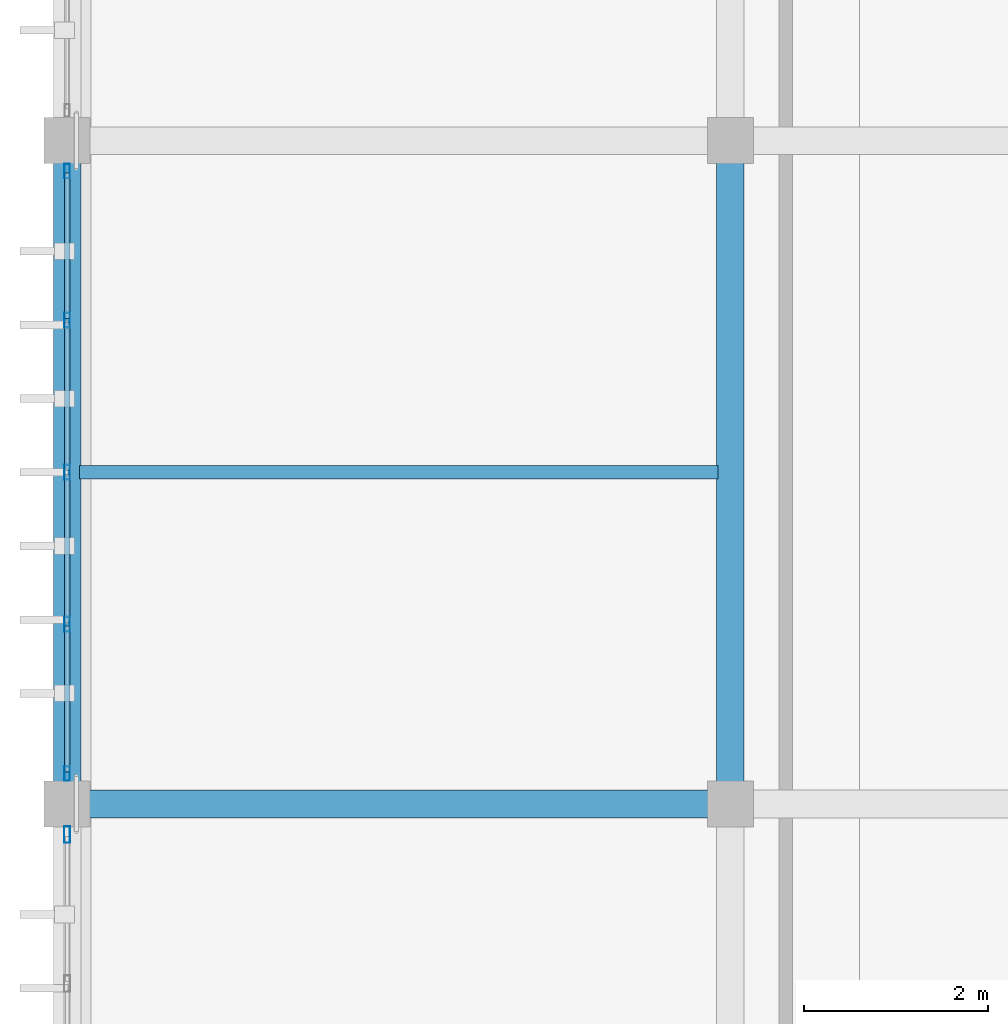
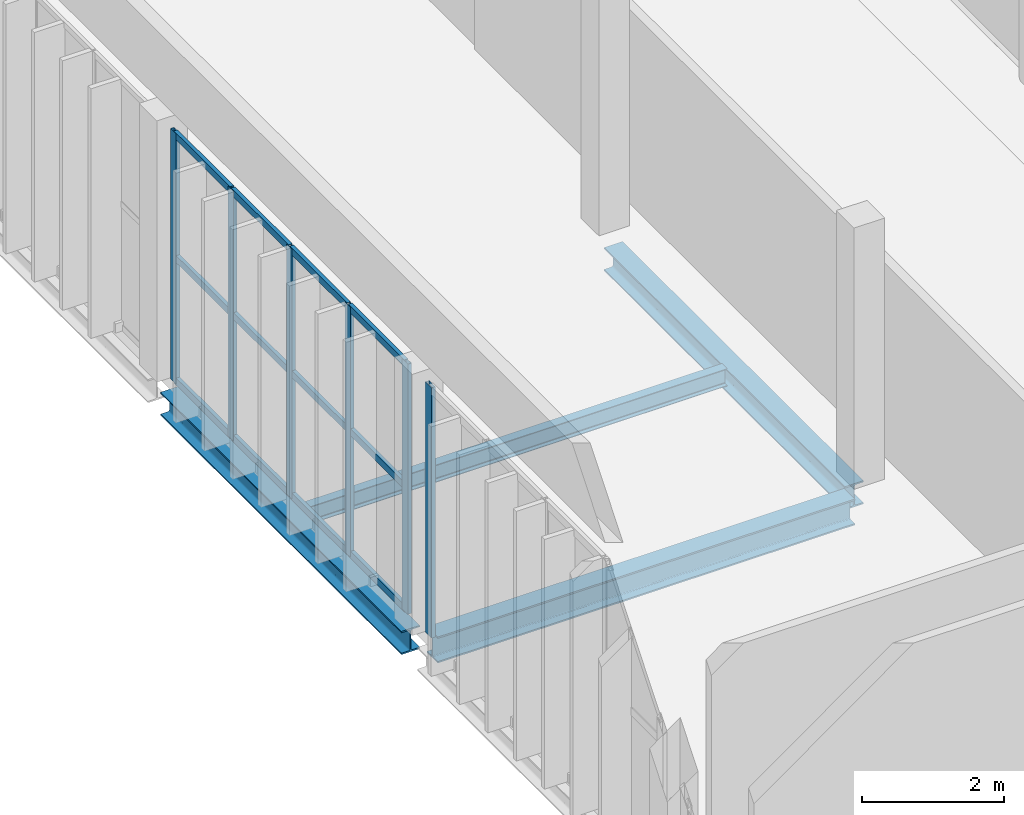
# One storey, part 17 of 64: 18 members, 4 beams, 2 elements without a shape of their own.
"""IFC4 building model written with IfcOpenShell, lengths in metres."""

from ifc_helpers import new_model, si_unit, direction, frame, origin, origin_2d, place, context, subcontext, project, spatial, hollow_rectangle, i_section, extrude, material, material_profile, profile_set, type_object, element, aggregate, save


model = new_model("IFC4")

# Units and contexts
model_context = context("Model", 3, precision=1e-05, world=origin(), true_north=direction((0.0, 1.0)))
body_context = subcontext(model_context, "Body", "Model", "MODEL_VIEW")
ifc_project = project(units=[si_unit("LENGTHUNIT", "METRE"), si_unit("AREAUNIT", "SQUARE_METRE"), si_unit("VOLUMEUNIT", "CUBIC_METRE"), si_unit("PLANEANGLEUNIT", "RADIAN"), si_unit("MASSUNIT", "GRAM", prefix="KILO")], contexts=[model_context])

# Site, building, storey
site_placement = place(None, origin())
site = spatial("IfcSite", under=ifc_project, at=site_placement, CompositionType="ELEMENT")
building_placement = place(site_placement, origin())
building = spatial("IfcBuilding", under=site, at=building_placement, Name="Qandorah Velis Arena", CompositionType="ELEMENT")
storey_placement = place(building_placement, frame((0.0, 0.0, 23.0)))
storey = spatial("IfcBuildingStorey", under=building, at=storey_placement, Name="L05", CompositionType="ELEMENT", Elevation=23.0)

# Curtain wall, members
ifc_material_1 = material(Name="Solar-control low-E double glazing", Category="glass")
curtain_wall_type_1 = type_object("IfcCurtainWallType", Name="ARC-CW-SYS23", PredefinedType="USERDEFINED", material=ifc_material_1)
curtain_wall_1_placement = place(storey_placement, origin())
curtain_wall_1 = element("IfcCurtainWall", 1, at=curtain_wall_1_placement, inside=storey, type_object=curtain_wall_type_1, Name="Unitised curtain wall L05-047", ObjectType="UNITISED CURTAIN WALL", PredefinedType="USERDEFINED")
ifc_material_2 = material(Name="Champagne-bronze anodized aluminium 6063-T6", Category="aluminium")
ifc_material_profile_1 = material_profile(ifc_material_2, hollow_rectangle(XDim=0.06005859375, YDim=0.159912109375, WallThickness=0.00341796875, at=origin_2d()), Name="ALU MULLION 60x160")
ifc_profile_set_1 = profile_set([ifc_material_profile_1], Name="Champagne-bronze anodized aluminium 6063-T6")
member_type_1 = type_object("IfcMemberType", Name="ARC-CWM-160", PredefinedType="MULLION", material=ifc_profile_set_1)
member_1_placement = place(storey_placement, frame((0.0, 65.1298828125, -0.014892578125), z_axis=(0.0, 0.0, 1.0), x_axis=(-1.0, 0.0, 0.0)))
member_1 = element("IfcMember", 2, at=member_1_placement, type_object=member_type_1, Name="CW23 mullion 1", PredefinedType="MULLION", context=body_context, shape_type="SweptSolid", body=[
    extrude(hollow_rectangle(XDim=0.06005859375, YDim=0.159912109375, WallThickness=0.00341796875, at=origin_2d()), origin(), (0.0, 0.0, 1.0), 4.309814453125),
])
member_2_placement = place(storey_placement, frame((0.0, 66.75, -0.014892578125), z_axis=(0.0, 0.0, 1.0), x_axis=(-1.0, 0.0, 0.0)))
member_2 = element("IfcMember", 3, at=member_2_placement, type_object=member_type_1, Name="CW23 mullion 2", PredefinedType="MULLION", context=body_context, shape_type="SweptSolid", body=[
    extrude(hollow_rectangle(XDim=0.06005859375, YDim=0.159912109375, WallThickness=0.00341796875, at=origin_2d()), origin(), (0.0, 0.0, 1.0), 4.309814453125),
])
member_3_placement = place(storey_placement, frame((0.0, 68.39990234375, -0.014892578125), z_axis=(0.0, 0.0, 1.0), x_axis=(-1.0, 0.0, 0.0)))
member_3 = element("IfcMember", 4, at=member_3_placement, type_object=member_type_1, Name="CW23 mullion 3", PredefinedType="MULLION", context=body_context, shape_type="SweptSolid", body=[
    extrude(hollow_rectangle(XDim=0.06005859375, YDim=0.159912109375, WallThickness=0.00341796875, at=origin_2d()), origin(), (0.0, 0.0, 1.0), 4.309814453125),
])
member_4_placement = place(storey_placement, frame((0.0, 70.050048828125, -0.014892578125), z_axis=(0.0, 0.0, 1.0), x_axis=(-1.0, 0.0, 0.0)))
member_4 = element("IfcMember", 5, at=member_4_placement, type_object=member_type_1, Name="CW23 mullion 4", PredefinedType="MULLION", context=body_context, shape_type="SweptSolid", body=[
    extrude(hollow_rectangle(XDim=0.06005859375, YDim=0.159912109375, WallThickness=0.00341796875, at=origin_2d()), origin(), (0.0, 0.0, 1.0), 4.309814453125),
])
member_5_placement = place(storey_placement, frame((0.0, 71.669921875, -0.014892578125), z_axis=(0.0, 0.0, 1.0), x_axis=(-1.0, 0.0, 0.0)))
member_5 = element("IfcMember", 6, at=member_5_placement, type_object=member_type_1, Name="CW23 mullion 5", PredefinedType="MULLION", context=body_context, shape_type="SweptSolid", body=[
    extrude(hollow_rectangle(XDim=0.06005859375, YDim=0.159912109375, WallThickness=0.00341796875, at=origin_2d()), origin(), (0.0, 0.0, 1.0), 4.309814453125),
])

# Curtain wall, member
curtain_wall_type_2 = type_object("IfcCurtainWallType", Name="ARC-CW-SYS22", PredefinedType="USERDEFINED", material=ifc_material_1)
curtain_wall_2_placement = place(storey_placement, origin())
curtain_wall_2 = element("IfcCurtainWall", 7, at=curtain_wall_2_placement, inside=storey, type_object=curtain_wall_type_2, Name="Unitised curtain wall L05-046", ObjectType="UNITISED CURTAIN WALL", PredefinedType="USERDEFINED")
ifc_material_profile_2 = material_profile(ifc_material_2, hollow_rectangle(XDim=0.06494140625, YDim=0.179931640625, WallThickness=0.00341796875, at=origin_2d()), Name="ALU MULLION 65x180")
ifc_profile_set_2 = profile_set([ifc_material_profile_2], Name="Champagne-bronze anodized aluminium 6063-T6")
member_type_2 = type_object("IfcMemberType", Name="ARC-CWM-180", PredefinedType="MULLION", material=ifc_profile_set_2)
member_6_placement = place(storey_placement, frame((0.0, 64.467529296875, -0.014892578125), z_axis=(0.0, 0.0, 1.0), x_axis=(-1.0, 0.0, 0.0)))
member_6 = element("IfcMember", 8, at=member_6_placement, type_object=member_type_2, Name="CW22 mullion 5", PredefinedType="MULLION", context=body_context, shape_type="SweptSolid", body=[
    extrude(hollow_rectangle(XDim=0.06494140625, YDim=0.179931640625, WallThickness=0.00341796875, at=origin_2d()), origin(), (0.0, 0.0, 1.0), 4.309814453125),
])
aggregate(curtain_wall_2, [member_6])

# Member
ifc_material_profile_3 = material_profile(ifc_material_2, hollow_rectangle(XDim=0.06005859375, YDim=0.1201171875, WallThickness=0.0029296875, at=origin_2d()), Name="ALU TRANSOM 60x120")
ifc_profile_set_3 = profile_set([ifc_material_profile_3], Name="Champagne-bronze anodized aluminium 6063-T6")
member_type_3 = type_object("IfcMemberType", Name="ARC-CWT-120", PredefinedType="USERDEFINED", material=ifc_profile_set_3)
member_7_placement = place(storey_placement, frame((0.0, 65.14794921875, 0.030029296875), z_axis=(0.0, 1.0, 0.0), x_axis=(-1.0, 0.0, 0.0)))
member_7 = element("IfcMember", 9, at=member_7_placement, type_object=member_type_3, Name="CW23 transom 1.1", ObjectType="TRANSOM", PredefinedType="USERDEFINED", context=body_context, shape_type="SweptSolid", body=[
    extrude(hollow_rectangle(XDim=0.06005859375, YDim=0.1201171875, WallThickness=0.0029296875, at=origin_2d()), origin(), (0.0, 0.0, 1.0), 1.583984375),
])

member_8_placement = place(storey_placement, frame((0.0, 65.14794921875, 2.139892578125), z_axis=(0.0, 1.0, 0.0), x_axis=(-1.0, 0.0, 0.0)))
member_8 = element("IfcMember", 10, at=member_8_placement, type_object=member_type_3, Name="CW23 transom 1.2", ObjectType="TRANSOM", PredefinedType="USERDEFINED", context=body_context, shape_type="SweptSolid", body=[
    extrude(hollow_rectangle(XDim=0.06005859375, YDim=0.1201171875, WallThickness=0.0029296875, at=origin_2d()), origin(), (0.0, 0.0, 1.0), 1.583984375),
])

member_9_placement = place(storey_placement, frame((0.0, 65.14794921875, 4.25), z_axis=(0.0, 1.0, 0.0), x_axis=(-1.0, 0.0, 0.0)))
member_9 = element("IfcMember", 11, at=member_9_placement, type_object=member_type_3, Name="CW23 transom 1.3", ObjectType="TRANSOM", PredefinedType="USERDEFINED", context=body_context, shape_type="SweptSolid", body=[
    extrude(hollow_rectangle(XDim=0.06005859375, YDim=0.1201171875, WallThickness=0.0029296875, at=origin_2d()), origin(), (0.0, 0.0, 1.0), 1.583984375),
])

member_10_placement = place(storey_placement, frame((0.0, 66.76806640625, 0.030029296875), z_axis=(0.0, 1.0, 0.0), x_axis=(-1.0, 0.0, 0.0)))
member_10 = element("IfcMember", 12, at=member_10_placement, type_object=member_type_3, Name="CW23 transom 2.1", ObjectType="TRANSOM", PredefinedType="USERDEFINED", context=body_context, shape_type="SweptSolid", body=[
    extrude(hollow_rectangle(XDim=0.06005859375, YDim=0.1201171875, WallThickness=0.0029296875, at=origin_2d()), origin(), (0.0, 0.0, 1.0), 1.614013671875),
])

member_11_placement = place(storey_placement, frame((0.0, 66.76806640625, 2.139892578125), z_axis=(0.0, 1.0, 0.0), x_axis=(-1.0, 0.0, 0.0)))
member_11 = element("IfcMember", 13, at=member_11_placement, type_object=member_type_3, Name="CW23 transom 2.2", ObjectType="TRANSOM", PredefinedType="USERDEFINED", context=body_context, shape_type="SweptSolid", body=[
    extrude(hollow_rectangle(XDim=0.06005859375, YDim=0.1201171875, WallThickness=0.0029296875, at=origin_2d()), origin(), (0.0, 0.0, 1.0), 1.614013671875),
])

member_12_placement = place(storey_placement, frame((0.0, 66.76806640625, 4.25), z_axis=(0.0, 1.0, 0.0), x_axis=(-1.0, 0.0, 0.0)))
member_12 = element("IfcMember", 14, at=member_12_placement, type_object=member_type_3, Name="CW23 transom 2.3", ObjectType="TRANSOM", PredefinedType="USERDEFINED", context=body_context, shape_type="SweptSolid", body=[
    extrude(hollow_rectangle(XDim=0.06005859375, YDim=0.1201171875, WallThickness=0.0029296875, at=origin_2d()), origin(), (0.0, 0.0, 1.0), 1.614013671875),
])

member_13_placement = place(storey_placement, frame((0.0, 68.41796875, 0.030029296875), z_axis=(0.0, 1.0, 0.0), x_axis=(-1.0, 0.0, 0.0)))
member_13 = element("IfcMember", 15, at=member_13_placement, type_object=member_type_3, Name="CW23 transom 3.1", ObjectType="TRANSOM", PredefinedType="USERDEFINED", context=body_context, shape_type="SweptSolid", body=[
    extrude(hollow_rectangle(XDim=0.06005859375, YDim=0.1201171875, WallThickness=0.0029296875, at=origin_2d()), origin(), (0.0, 0.0, 1.0), 1.614013671875),
])

member_14_placement = place(storey_placement, frame((0.0, 68.41796875, 2.139892578125), z_axis=(0.0, 1.0, 0.0), x_axis=(-1.0, 0.0, 0.0)))
member_14 = element("IfcMember", 16, at=member_14_placement, type_object=member_type_3, Name="CW23 transom 3.2", ObjectType="TRANSOM", PredefinedType="USERDEFINED", context=body_context, shape_type="SweptSolid", body=[
    extrude(hollow_rectangle(XDim=0.06005859375, YDim=0.1201171875, WallThickness=0.0029296875, at=origin_2d()), origin(), (0.0, 0.0, 1.0), 1.614013671875),
])

member_15_placement = place(storey_placement, frame((0.0, 68.41796875, 4.25), z_axis=(0.0, 1.0, 0.0), x_axis=(-1.0, 0.0, 0.0)))
member_15 = element("IfcMember", 17, at=member_15_placement, type_object=member_type_3, Name="CW23 transom 3.3", ObjectType="TRANSOM", PredefinedType="USERDEFINED", context=body_context, shape_type="SweptSolid", body=[
    extrude(hollow_rectangle(XDim=0.06005859375, YDim=0.1201171875, WallThickness=0.0029296875, at=origin_2d()), origin(), (0.0, 0.0, 1.0), 1.614013671875),
])

member_16_placement = place(storey_placement, frame((0.0, 70.068115234375, 0.030029296875), z_axis=(0.0, 1.0, 0.0), x_axis=(-1.0, 0.0, 0.0)))
member_16 = element("IfcMember", 18, at=member_16_placement, type_object=member_type_3, Name="CW23 transom 4.1", ObjectType="TRANSOM", PredefinedType="USERDEFINED", context=body_context, shape_type="SweptSolid", body=[
    extrude(hollow_rectangle(XDim=0.06005859375, YDim=0.1201171875, WallThickness=0.0029296875, at=origin_2d()), origin(), (0.0, 0.0, 1.0), 1.583984375),
])

member_17_placement = place(storey_placement, frame((0.0, 70.068115234375, 2.139892578125), z_axis=(0.0, 1.0, 0.0), x_axis=(-1.0, 0.0, 0.0)))
member_17 = element("IfcMember", 19, at=member_17_placement, type_object=member_type_3, Name="CW23 transom 4.2", ObjectType="TRANSOM", PredefinedType="USERDEFINED", context=body_context, shape_type="SweptSolid", body=[
    extrude(hollow_rectangle(XDim=0.06005859375, YDim=0.1201171875, WallThickness=0.0029296875, at=origin_2d()), origin(), (0.0, 0.0, 1.0), 1.583984375),
])

member_18_placement = place(storey_placement, frame((0.0, 70.068115234375, 4.25), z_axis=(0.0, 1.0, 0.0), x_axis=(-1.0, 0.0, 0.0)))
member_18 = element("IfcMember", 20, at=member_18_placement, type_object=member_type_3, Name="CW23 transom 4.3", ObjectType="TRANSOM", PredefinedType="USERDEFINED", context=body_context, shape_type="SweptSolid", body=[
    extrude(hollow_rectangle(XDim=0.06005859375, YDim=0.1201171875, WallThickness=0.0029296875, at=origin_2d()), origin(), (0.0, 0.0, 1.0), 1.583984375),
])

aggregate(curtain_wall_1, [member_1, member_2, member_3, member_4, member_5, member_7, member_8, member_9, member_10, member_11, member_12, member_13, member_14, member_15, member_16, member_17, member_18])

# Beams
ifc_material_3 = material(Name="Steel S355", Category="steel")
ifc_material_profile_4 = material_profile(ifc_material_3, i_section(OverallWidth=0.300048828125, OverallDepth=0.39990234375, WebThickness=0.013427734375, FlangeThickness=0.02392578125, FilletRadius=0.027099609375, at=origin_2d()), Name="HEB 400")
ifc_profile_set_4 = profile_set([ifc_material_profile_4], Name="Steel S355")
beam_type_1 = type_object("IfcBeamType", Name="STR-BM-HEB400", PredefinedType="BEAM", material=ifc_profile_set_4)
beam_1_placement = place(storey_placement, frame((0.0, 65.02490234375, -0.449951171875), z_axis=(0.0, 1.0, 0.0), x_axis=(-1.0, 0.0, 0.0)))
element("IfcBeam", 21, at=beam_1_placement, inside=storey, type_object=beam_type_1, Name="Primary floor girder L05 Y-120", PredefinedType="BEAM", context=body_context, shape_type="SweptSolid", body=[
    extrude(i_section(OverallWidth=0.300048828125, OverallDepth=0.39990234375, WebThickness=0.013427734375, FlangeThickness=0.02392578125, FilletRadius=0.027099609375, at=origin_2d()), origin(), (0.0, 0.0, 1.0), 6.796630859375),
])
beam_2_placement = place(storey_placement, frame((7.199951171875, 64.978515625, -0.449951171875), z_axis=(0.0, 1.0, 0.0), x_axis=(-1.0, 0.0, 0.0)))
element("IfcBeam", 22, at=beam_2_placement, inside=storey, type_object=beam_type_1, Name="Primary floor girder L05 Y-132", PredefinedType="BEAM", context=body_context, shape_type="SweptSolid", body=[
    extrude(i_section(OverallWidth=0.300048828125, OverallDepth=0.39990234375, WebThickness=0.013427734375, FlangeThickness=0.02392578125, FilletRadius=0.027099609375, at=origin_2d()), origin(), (0.0, 0.0, 1.0), 6.79638671875),
])
ifc_material_profile_5 = material_profile(ifc_material_3, i_section(OverallWidth=0.300048828125, OverallDepth=0.449951171875, WebThickness=0.013916015625, FlangeThickness=0.02587890625, FilletRadius=0.027099609375, at=origin_2d()), Name="HEB 450")
ifc_profile_set_5 = profile_set([ifc_material_profile_5], Name="Steel S355")
beam_type_2 = type_object("IfcBeamType", Name="STR-BM-HEB450", PredefinedType="BEAM", material=ifc_profile_set_5)
beam_3_placement = place(storey_placement, frame((0.22509765625, 64.800048828125, -0.47509765625), z_axis=(1.0, 0.0, 0.0), x_axis=(0.0, 1.0, 0.0)))
element("IfcBeam", 23, at=beam_3_placement, inside=storey, type_object=beam_type_2, Name="Primary floor girder L05 X-056", PredefinedType="BEAM", context=body_context, shape_type="SweptSolid", body=[
    extrude(i_section(OverallWidth=0.300048828125, OverallDepth=0.449951171875, WebThickness=0.013916015625, FlangeThickness=0.02587890625, FilletRadius=0.027099609375, at=origin_2d()), origin(), (0.0, 0.0, 1.0), 6.79638671875),
])
ifc_material_profile_6 = material_profile(ifc_material_3, i_section(OverallWidth=0.14990234375, OverallDepth=0.300048828125, WebThickness=0.007080078125, FlangeThickness=0.0107421875, FilletRadius=0.014892578125, at=origin_2d()), Name="IPE 300")
ifc_profile_set_6 = profile_set([ifc_material_profile_6], Name="Steel S355")
beam_type_3 = type_object("IfcBeamType", Name="STR-JST-IPE300", PredefinedType="JOIST", material=ifc_profile_set_6)
beam_4_placement = place(storey_placement, frame((0.135009765625, 68.39990234375, -0.39990234375), z_axis=(1.0, 0.0, 0.0), x_axis=(0.0, 1.0, 0.0)))
element("IfcBeam", 24, at=beam_4_placement, inside=storey, type_object=beam_type_3, Name="Secondary floor joist L05-005", PredefinedType="JOIST", context=body_context, shape_type="SweptSolid", body=[
    extrude(i_section(OverallWidth=0.14990234375, OverallDepth=0.300048828125, WebThickness=0.007080078125, FlangeThickness=0.0107421875, FilletRadius=0.014892578125, at=origin_2d()), origin(), (0.0, 0.0, 1.0), 6.929931640625),
])

save(model, "model.ifc")
